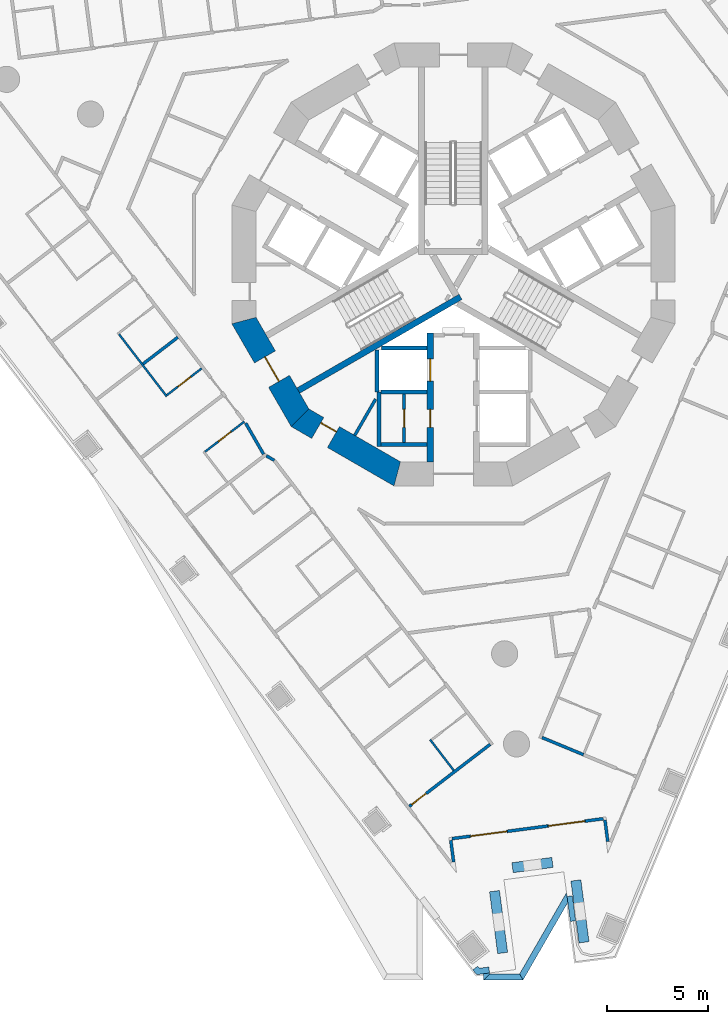
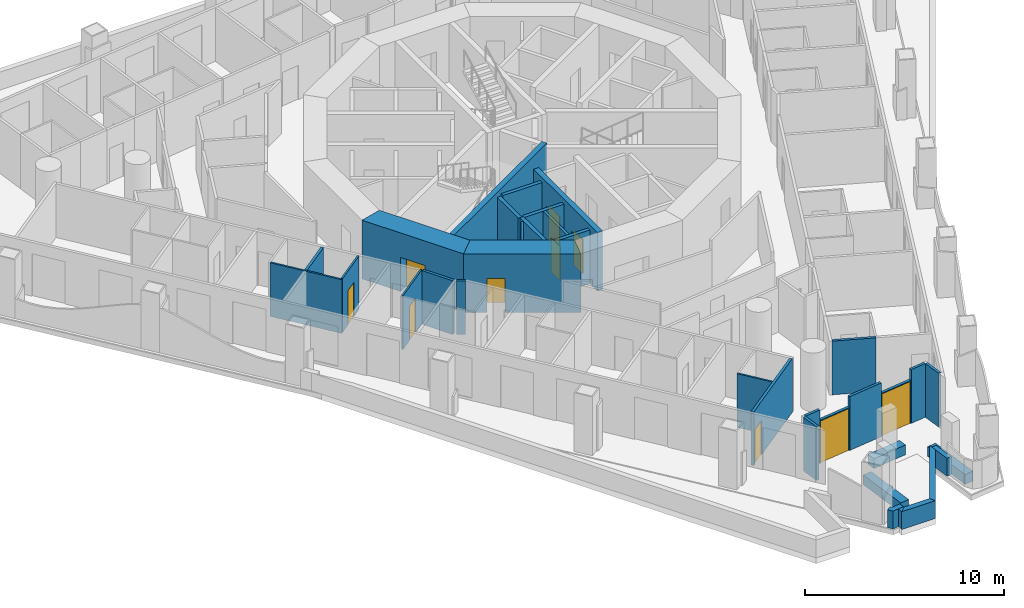
# One storey, part 3 of 20: 35 walls, 10 doors, 10 openings.
"""IFC4 building model written with IfcOpenShell, lengths in metres."""

from ifc_helpers import new_model, si_unit, direction, frame, frame_2d, origin, place, context, subcontext, project, spatial, polyline, rectangle, outline, extrude, material, layer, layer_set, type_object, element, fill, save


model = new_model("IFC4")

# Units and contexts
model_context = context("Model", 3, precision=1e-05, world=origin(), true_north=direction((0.0, 1.0)))
body_context = subcontext(model_context, "Body", "Model", "MODEL_VIEW")
ifc_project = project(units=[si_unit("LENGTHUNIT", "METRE"), si_unit("AREAUNIT", "SQUARE_METRE"), si_unit("VOLUMEUNIT", "CUBIC_METRE"), si_unit("PLANEANGLEUNIT", "RADIAN"), si_unit("MASSUNIT", "GRAM", prefix="KILO")], contexts=[model_context])

# Site, building, storey
site_placement = place(None, origin())
site = spatial("IfcSite", under=ifc_project, at=site_placement, CompositionType="ELEMENT")
building_placement = place(site_placement, origin())
building = spatial("IfcBuilding", under=site, at=building_placement, Name="Trine Commons Tower", CompositionType="ELEMENT")
storey_placement = place(building_placement, frame((0.0, 0.0, 50.39990234375)))
storey = spatial("IfcBuildingStorey", under=building, at=storey_placement, Name="L11", CompositionType="ELEMENT", Elevation=50.39990234375)

# Wall
ifc_material_1 = material(Name="Plasterboard partition on steel studs", Category="steel")
ifc_layer_1 = layer(ifc_material_1, 0.14990234375)
ifc_layer_set_1 = layer_set([ifc_layer_1], Name="Plasterboard partition on steel studs")
wall_type_1 = type_object("IfcWallType", Name="Core room partition 150 mm, EI 60", PredefinedType="PARTITIONING", material=ifc_layer_set_1)
wall_1_placement = place(storey_placement, frame((75.094970703125, 54.0029296875, 0.0), z_axis=(0.0, 0.0, 1.0), x_axis=(0.5000780968, 0.865980309881, 0.0)))
element("IfcWall", 1, at=wall_1_placement, inside=storey, type_object=wall_type_1, Name="Core room partition L11", PredefinedType="PARTITIONING", context=body_context, shape_type="SweptSolid", body=[
    extrude(rectangle(XDim=2.079833984375, YDim=0.14990234375, at=frame_2d((1.0400390625, 0.0))), origin(), (0.0, 0.0, 1.0), 3.300048828125),
])

# Wall, opening, door
wall_2_placement = place(storey_placement, frame((77.550048828125, 56.050048828125, 0.0), z_axis=(0.0, 0.0, 1.0), x_axis=(0.0, -1.0, 0.0)))
wall_2 = element("IfcWall", 2, at=wall_2_placement, inside=storey, type_object=wall_type_1, Name="Core room partition L11", PredefinedType="PARTITIONING", context=body_context, shape_type="SweptSolid", body=[
    extrude(rectangle(XDim=2.400146484375, YDim=0.14990234375, at=frame_2d((1.2001953125, 0.0))), origin(), (0.0, 0.0, 1.0), 3.300048828125),
])
opening_1_placement = place(wall_2_placement, frame((0.75, 0.0, 0.0)))
opening_1 = element("IfcOpeningElement", 3, at=opening_1_placement, cuts=wall_2, Name="Opening K06.11", PredefinedType="OPENING", context=body_context, shape_type="SweptSolid", body=[
    extrude(rectangle(XDim=0.89990234375, YDim=2.10009765625, at=frame_2d((0.449951171875, 1.050048828125))), frame((0.0, 0.0849609375, 0.0), z_axis=(0.0, -1.0, 0.0), x_axis=(1.0, 0.0, 0.0)), (0.0, 0.0, 1.0), 0.169921875),
])
ifc_material_2 = material(Name="Steel door leaf, fire-rated", Category="steel")
door_type_1 = type_object("IfcDoorType", Name="Core room door, single leaf 900 x 2100, FD30S", OperationType="SINGLE_SWING_LEFT", PredefinedType="DOOR", material=ifc_material_2)
door_1_placement = place(opening_1_placement, frame((0.89990234375, 0.0, 0.0), z_axis=(0.0, 0.0, 1.0), x_axis=(-1.0, 0.0, 0.0)))
door_1 = element("IfcDoor", 4, at=door_1_placement, inside=storey, type_object=door_type_1, Name="Door to Parcel store L11", OperationType="SINGLE_SWING_LEFT", OverallHeight=2.10009765625, OverallWidth=0.89990234375, PredefinedType="DOOR", context=body_context, shape_type="SweptSolid", body=[
    extrude(rectangle(XDim=0.89990234375, YDim=2.10009765625, at=frame_2d((0.449951171875, 1.050048828125))), frame((0.0, 0.02490234375, 0.0), z_axis=(0.0, -1.0, 0.0), x_axis=(1.0, 0.0, 0.0)), (0.0, 0.0, 1.0), 0.050048828125),
])
fill(opening_1, door_1)

# Walls
ifc_material_3 = material(Name="Aluminium-framed insulated wall panel", Category="aluminium")
ifc_layer_2 = layer(ifc_material_3, 0.14990234375)
ifc_layer_set_2 = layer_set([ifc_layer_2], Name="Aluminium-framed insulated wall panel")
wall_type_2 = type_object("IfcWallType", Name="Glazed frame wall 150, EI 60", PredefinedType="SOLIDWALL", material=ifc_layer_set_2)
wall_3_placement = place(storey_placement, frame((87.6953125, 33.6591796875, 0.0), z_axis=(0.0, 0.0, 1.0), x_axis=(-0.130510858064, 0.991446880033, 0.0)))
element("IfcWall", 5, at=wall_3_placement, inside=storey, type_object=wall_type_2, Name="Glazed frame wall R9", PredefinedType="SOLIDWALL", context=body_context, shape_type="SweptSolid", body=[
    extrude(outline(polyline([(0.1494140625, 0.074951171875), (0.1494140625, -0.074951171875), (1.235107421875, -0.074951171875), (1.235107421875, 0.074951171875), (0.1494140625, 0.074951171875)])), origin(), (0.0, 0.0, 1.0), 3.300048828125),
])
wall_4_placement = place(storey_placement, frame((87.55908203125, 34.96240234375, 0.0), z_axis=(0.0, 0.0, 1.0), x_axis=(-0.991465094935, -0.130372410907, 0.0)))
element("IfcWall", 6, at=wall_4_placement, inside=storey, type_object=wall_type_2, Name="Glazed frame wall P3.1", PredefinedType="SOLIDWALL", context=body_context, shape_type="SweptSolid", body=[
    extrude(outline(polyline([(0.110107421875, -0.074951171875), (1.0, -0.074951171875), (1.0, 0.074951171875), (0.110107421875, 0.074951171875), (0.110107421875, -0.074951171875)])), origin(), (0.0, 0.0, 1.0), 3.300048828125),
])

# Wall, opening, door
wall_5_placement = place(storey_placement, frame((86.567626953125, 34.83203125, 0.0), z_axis=(0.0, 0.0, 1.0), x_axis=(-0.991442045538, -0.130547578832, 0.0)))
wall_5 = element("IfcWall", 7, at=wall_5_placement, inside=storey, type_object=wall_type_2, Name="Glazed frame wall P3.2", PredefinedType="SOLIDWALL", context=body_context, shape_type="SweptSolid", body=[
    extrude(outline(polyline([(0.0, -0.074951171875), (1.89990234375, -0.074951171875), (1.89990234375, 0.074951171875), (0.0, 0.074951171875), (0.0, -0.074951171875)])), origin(), (0.0, 0.0, 1.0), 2.650146484375),
])
opening_2_placement = place(wall_5_placement, frame((0.050048828125, 0.0, 0.0)))
opening_2 = element("IfcOpeningElement", 8, at=opening_2_placement, cuts=wall_5, Name="Opening BD-2P3-01", PredefinedType="OPENING", context=body_context, shape_type="SweptSolid", body=[
    extrude(rectangle(XDim=1.800048828125, YDim=2.60009765625, at=frame_2d((0.89990234375, 1.300048828125))), frame((0.0, 0.0849609375, 0.0), z_axis=(0.0, -1.0, 0.0), x_axis=(1.0, 0.0, 0.0)), (0.0, 0.0, 1.0), 0.169921875),
])
ifc_material_4 = material(Name="Anodised aluminium frame with double glazing", Category="aluminium")
door_type_2 = type_object("IfcDoorType", Name="Sliding loggia door 1800x2600", OperationType="SLIDING_TO_LEFT", PredefinedType="DOOR", material=ifc_material_4)
door_2_placement = place(opening_2_placement, origin())
door_2 = element("IfcDoor", 9, at=door_2_placement, inside=storey, type_object=door_type_2, Name="Loggia door P3 1", OperationType="SLIDING_TO_LEFT", OverallHeight=2.60009765625, OverallWidth=1.800048828125, PredefinedType="DOOR", context=body_context, shape_type="SweptSolid", body=[
    extrude(rectangle(XDim=1.800048828125, YDim=2.60009765625, at=frame_2d((0.89990234375, 1.300048828125))), frame((0.0, 0.02490234375, 0.0), z_axis=(0.0, -1.0, 0.0), x_axis=(1.0, 0.0, 0.0)), (0.0, 0.0, 1.0), 0.050048828125),
])
fill(opening_2, door_2)

# Wall
wall_6_placement = place(storey_placement, frame((84.683837890625, 34.583984375, 0.0), z_axis=(0.0, 0.0, 1.0), x_axis=(-0.991449308994, -0.130492404742, 0.0)))
element("IfcWall", 10, at=wall_6_placement, inside=storey, type_object=wall_type_2, Name="Glazed frame wall P3.3", PredefinedType="SOLIDWALL", context=body_context, shape_type="SweptSolid", body=[
    extrude(outline(polyline([(0.0, -0.074951171875), (2.0, -0.074951171875), (2.0, 0.074951171875), (0.0, 0.074951171875), (0.0, -0.074951171875)])), origin(), (0.0, 0.0, 1.0), 3.300048828125),
])

# Wall, opening, door
wall_7_placement = place(storey_placement, frame((82.700927734375, 34.322998046875, 0.0), z_axis=(0.0, 0.0, 1.0), x_axis=(-0.991442045538, -0.130547578832, 0.0)))
wall_7 = element("IfcWall", 11, at=wall_7_placement, inside=storey, type_object=wall_type_2, Name="Glazed frame wall P3.4", PredefinedType="SOLIDWALL", context=body_context, shape_type="SweptSolid", body=[
    extrude(outline(polyline([(0.0, -0.074951171875), (1.89990234375, -0.074951171875), (1.89990234375, 0.074951171875), (0.0, 0.074951171875), (0.0, -0.074951171875)])), origin(), (0.0, 0.0, 1.0), 2.650146484375),
])
opening_3_placement = place(wall_7_placement, frame((0.050048828125, 0.0, 0.0)))
opening_3 = element("IfcOpeningElement", 12, at=opening_3_placement, cuts=wall_7, Name="Opening BD-2P3-02", PredefinedType="OPENING", context=body_context, shape_type="SweptSolid", body=[
    extrude(rectangle(XDim=1.800048828125, YDim=2.60009765625, at=frame_2d((0.89990234375, 1.300048828125))), frame((0.0, 0.0849609375, 0.0), z_axis=(0.0, -1.0, 0.0), x_axis=(1.0, 0.0, 0.0)), (0.0, 0.0, 1.0), 0.169921875),
])
door_3_placement = place(opening_3_placement, origin())
door_3 = element("IfcDoor", 13, at=door_3_placement, inside=storey, type_object=door_type_2, Name="Loggia door P3 2", OperationType="SLIDING_TO_LEFT", OverallHeight=2.60009765625, OverallWidth=1.800048828125, PredefinedType="DOOR", context=body_context, shape_type="SweptSolid", body=[
    extrude(rectangle(XDim=1.800048828125, YDim=2.60009765625, at=frame_2d((0.89990234375, 1.300048828125))), frame((0.0, 0.02490234375, 0.0), z_axis=(0.0, -1.0, 0.0), x_axis=(1.0, 0.0, 0.0)), (0.0, 0.0, 1.0), 0.050048828125),
])
fill(opening_3, door_3)

# Walls
wall_8_placement = place(storey_placement, frame((80.817138671875, 34.074951171875, 0.0), z_axis=(0.0, 0.0, 1.0), x_axis=(-0.991433509034, -0.130612392842, 0.0)))
element("IfcWall", 14, at=wall_8_placement, inside=storey, type_object=wall_type_2, Name="Glazed frame wall P3.5", PredefinedType="SOLIDWALL", context=body_context, shape_type="SweptSolid", body=[
    extrude(outline(polyline([(0.889892578125, 0.074951171875), (0.0, 0.074951171875), (0.0, -0.074951171875), (0.889892578125, -0.074951171875), (0.889892578125, 0.074951171875)])), origin(), (0.0, 0.0, 1.0), 3.300048828125),
])
wall_9_placement = place(storey_placement, frame((79.85595703125, 33.983642578125, 0.0), z_axis=(0.0, 0.0, 1.0), x_axis=(0.130510858064, -0.991446880033, 0.0)))
element("IfcWall", 15, at=wall_9_placement, inside=storey, type_object=wall_type_2, Name="Glazed frame wall R11", PredefinedType="SOLIDWALL", context=body_context, shape_type="SweptSolid", body=[
    extrude(outline(polyline([(0.110107421875, 0.074951171875), (0.110107421875, -0.074951171875), (1.19580078125, -0.074951171875), (1.19580078125, 0.074951171875), (0.110107421875, 0.074951171875)])), origin(), (0.0, 0.0, 1.0), 3.300048828125),
])
ifc_material_5 = material(Name="Planter trough, precast concrete C40/50", Category="concrete")
ifc_layer_3 = layer(ifc_material_5, 0.5)
ifc_layer_set_3 = layer_set([ifc_layer_3], Name="Planter trough, precast concrete C40/50")
wall_type_3 = type_object("IfcWallType", Name="Planter trough 500x600", PredefinedType="PARAPET", material=ifc_layer_set_3)
wall_10_placement = place(storey_placement, frame((86.493408203125, 28.805908203125, 0.0), z_axis=(0.0, 0.0, 1.0), x_axis=(-0.130507484591, 0.9914473241, 0.0)))
element("IfcWall", 16, at=wall_10_placement, inside=storey, type_object=wall_type_3, Name="Planter 7", PredefinedType="PARAPET", context=body_context, shape_type="SweptSolid", body=[
    extrude(rectangle(XDim=3.099853515625, YDim=0.5, at=frame_2d((1.5498046875, 0.0))), origin(), (0.0, 0.0, 1.0), 0.60009765625),
])
wall_11_placement = place(storey_placement, frame((84.922119140625, 32.774658203125, 0.0), z_axis=(0.0, 0.0, 1.0), x_axis=(-0.991433509034, -0.130612392842, 0.0)))
element("IfcWall", 17, at=wall_11_placement, inside=storey, type_object=wall_type_3, Name="Planter 8", PredefinedType="PARAPET", context=body_context, shape_type="SweptSolid", body=[
    extrude(rectangle(XDim=2.0, YDim=0.5, at=frame_2d((1.0, 0.0))), origin(), (0.0, 0.0, 1.0), 0.60009765625),
])
wall_12_placement = place(storey_placement, frame((82.043701171875, 31.3466796875, 0.0), z_axis=(0.0, 0.0, 1.0), x_axis=(0.130574707151, -0.991438473054, 0.0)))
element("IfcWall", 18, at=wall_12_placement, inside=storey, type_object=wall_type_3, Name="Planter 9", PredefinedType="PARAPET", context=body_context, shape_type="SweptSolid", body=[
    extrude(rectangle(XDim=3.10009765625, YDim=0.5, at=frame_2d((1.550048828125, 0.0))), origin(), (0.0, 0.0, 1.0), 0.60009765625),
])

# Wall, opening, door
ifc_material_6 = material(Name="Concrete C80/95", Category="concrete")
ifc_layer_4 = layer(ifc_material_6, 1.199951171875)
ifc_layer_set_4 = layer_set([ifc_layer_4], Name="Concrete C80/95")
wall_type_4 = type_object("IfcWallType", Name="RC shear wall 1200 mm, C80/95", PredefinedType="SHEAR", material=ifc_layer_set_4)
wall_13_placement = place(storey_placement, frame((69.508056640625, 59.849609375, 0.0), z_axis=(0.0, 0.0, 1.0), x_axis=(0.499979111662, -0.866037463336, 0.0)))
wall_13 = element("IfcWall", 19, at=wall_13_placement, inside=storey, type_object=wall_type_4, Name="Core wall CWB-08 L11", PredefinedType="SHEAR", context=body_context, shape_type="SweptSolid", body=[
    extrude(outline(polyline([(0.0, -0.60009765625), (5.901123046875, -0.60009765625), (5.57958984375, 0.60009765625), (0.321533203125, 0.60009765625), (0.0, -0.60009765625)])), origin(), (0.0, 0.0, 1.0), 3.60009765625),
])
opening_4_placement = place(wall_13_placement, frame((2.25048828125, 0.0, 0.0)))
opening_4 = element("IfcOpeningElement", 20, at=opening_4_placement, cuts=wall_13, Name="Opening K06.02", PredefinedType="OPENING", context=body_context, shape_type="SweptSolid", body=[
    extrude(rectangle(XDim=1.39990234375, YDim=2.10009765625, at=frame_2d((0.699951171875, 1.050048828125))), frame((0.0, 0.60986328125, 0.0), z_axis=(0.0, -1.0, 0.0), x_axis=(1.0, 0.0, 0.0)), (0.0, 0.0, 1.0), 1.219970703125),
])
ifc_material_7 = material(Name="Steel door leaves, fire-rated", Category="steel")
door_type_3 = type_object("IfcDoorType", Name="Stair door, double leaf 1400 x 2100, FD90", OperationType="DOUBLE_DOOR_SINGLE_SWING", PredefinedType="DOOR", material=ifc_material_7)
door_4_placement = place(opening_4_placement, origin())
door_4 = element("IfcDoor", 21, at=door_4_placement, inside=storey, type_object=door_type_3, Name="Stair door to Exit stair ST2A L11", OperationType="DOUBLE_DOOR_SINGLE_SWING", OverallHeight=2.10009765625, OverallWidth=1.39990234375, PredefinedType="DOOR", context=body_context, shape_type="SweptSolid", body=[
    extrude(rectangle(XDim=1.39990234375, YDim=2.10009765625, at=frame_2d((0.699951171875, 1.050048828125))), frame((0.0, 0.02490234375, 0.0), z_axis=(0.0, -1.0, 0.0), x_axis=(1.0, 0.0, 0.0)), (0.0, 0.0, 1.0), 0.050048828125),
])
fill(opening_4, door_4)

wall_14_placement = place(storey_placement, frame((72.239013671875, 54.95849609375, 0.0), z_axis=(0.0, 0.0, 1.0), x_axis=(0.866037463336, -0.499979111662, 0.0)))
wall_14 = element("IfcWall", 22, at=wall_14_placement, inside=storey, type_object=wall_type_4, Name="Core wall CWB-09 L11", PredefinedType="SHEAR", context=body_context, shape_type="SweptSolid", body=[
    extrude(outline(polyline([(0.0, -0.60009765625), (5.901123046875, -0.60009765625), (5.57958984375, 0.60009765625), (0.321533203125, 0.60009765625), (0.0, -0.60009765625)])), origin(), (0.0, 0.0, 1.0), 3.60009765625),
])
opening_5_placement = place(wall_14_placement, frame((1.176513671875, 0.0, 0.0)))
opening_5 = element("IfcOpeningElement", 23, at=opening_5_placement, cuts=wall_14, Name="Opening K06.15", PredefinedType="OPENING", context=body_context, shape_type="SweptSolid", body=[
    extrude(rectangle(XDim=0.89990234375, YDim=2.10009765625, at=frame_2d((0.449951171875, 1.050048828125))), frame((0.0, 0.60986328125, 0.0), z_axis=(0.0, -1.0, 0.0), x_axis=(1.0, 0.0, 0.0)), (0.0, 0.0, 1.0), 1.219970703125),
])
door_5_placement = place(opening_5_placement, origin())
door_5 = element("IfcDoor", 24, at=door_5_placement, inside=storey, type_object=door_type_1, Name="Door to Print room L11", OperationType="SINGLE_SWING_LEFT", OverallHeight=2.10009765625, OverallWidth=0.89990234375, PredefinedType="DOOR", context=body_context, shape_type="SweptSolid", body=[
    extrude(rectangle(XDim=0.89990234375, YDim=2.10009765625, at=frame_2d((0.449951171875, 1.050048828125))), frame((0.0, 0.3251953125, 0.0), z_axis=(0.0, -1.0, 0.0), x_axis=(1.0, 0.0, 0.0)), (0.0, 0.0, 1.0), 0.050048828125),
])
fill(opening_5, door_5)

# Wall, openings, doors
ifc_layer_5 = layer(ifc_material_6, 0.300048828125)
ifc_layer_set_5 = layer_set([ifc_layer_5], Name="Concrete C80/95")
wall_type_5 = type_object("IfcWallType", Name="RC shear wall 300 mm, C80/95", PredefinedType="SHEAR", material=ifc_layer_set_5)
wall_15_placement = place(storey_placement, frame((78.85009765625, 59.10009765625, 0.0), z_axis=(0.0, 0.0, 1.0), x_axis=(0.0, -1.0, 0.0)))
wall_15 = element("IfcWall", 25, at=wall_15_placement, inside=storey, type_object=wall_type_5, Name="Core cross wall SWA-03 L11", PredefinedType="SHEAR", context=body_context, shape_type="SweptSolid", body=[
    extrude(rectangle(XDim=6.412109375, YDim=0.300048828125, at=frame_2d((3.2060546875, 0.0))), origin(), (0.0, 0.0, 1.0), 3.60009765625),
])
opening_6_placement = place(wall_15_placement, frame((3.800048828125, 0.0, 0.0)))
opening_6 = element("IfcOpeningElement", 26, at=opening_6_placement, cuts=wall_15, Name="Opening K06.10", PredefinedType="OPENING", context=body_context, shape_type="SweptSolid", body=[
    extrude(rectangle(XDim=0.89990234375, YDim=2.10009765625, at=frame_2d((0.449951171875, 1.050048828125))), frame((0.0, 0.159912109375, 0.0), z_axis=(0.0, -1.0, 0.0), x_axis=(1.0, 0.0, 0.0)), (0.0, 0.0, 1.0), 0.320068359375),
])
opening_7_placement = place(wall_15_placement, frame((1.300048828125, 0.0, 0.0)))
opening_7 = element("IfcOpeningElement", 27, at=opening_7_placement, cuts=wall_15, Name="Opening LD10", PredefinedType="OPENING", context=body_context, shape_type="SweptSolid", body=[
    extrude(rectangle(XDim=1.10009765625, YDim=2.10009765625, at=frame_2d((0.550048828125, 1.050048828125))), frame((0.0, 0.159912109375, 0.0), z_axis=(0.0, -1.0, 0.0), x_axis=(1.0, 0.0, 0.0)), (0.0, 0.0, 1.0), 0.320068359375),
])
door_6_placement = place(opening_6_placement, frame((0.89990234375, 0.0, 0.0), z_axis=(0.0, 0.0, 1.0), x_axis=(-1.0, 0.0, 0.0)))
door_6 = element("IfcDoor", 28, at=door_6_placement, inside=storey, type_object=door_type_1, Name="Door to Comms room L11", OperationType="SINGLE_SWING_RIGHT", OverallHeight=2.10009765625, OverallWidth=0.89990234375, PredefinedType="DOOR", context=body_context, shape_type="SweptSolid", body=[
    extrude(rectangle(XDim=0.89990234375, YDim=2.10009765625, at=frame_2d((0.449951171875, 1.050048828125))), frame((0.0, 0.02490234375, 0.0), z_axis=(0.0, -1.0, 0.0), x_axis=(1.0, 0.0, 0.0)), (0.0, 0.0, 1.0), 0.050048828125),
])
fill(opening_6, door_6)
ifc_material_8 = material(Name="Stainless steel sliding door leaves", Category="steel")
door_type_4 = type_object("IfcDoorType", Name="Lift landing door, centre-opening sliding 1100 x 2100, FD90", OperationType="DOUBLE_DOOR_SLIDING", PredefinedType="DOOR", material=ifc_material_8)
door_7_placement = place(opening_7_placement, origin())
door_7 = element("IfcDoor", 29, at=door_7_placement, inside=storey, type_object=door_type_4, Name="Lift landing door FF2 L11", OperationType="DOUBLE_DOOR_SLIDING", OverallHeight=2.10009765625, OverallWidth=1.10009765625, PredefinedType="DOOR", context=body_context, shape_type="SweptSolid", body=[
    extrude(rectangle(XDim=1.10009765625, YDim=2.10009765625, at=frame_2d((0.550048828125, 1.050048828125))), frame((0.0, 0.02490234375, 0.0), z_axis=(0.0, -1.0, 0.0), x_axis=(1.0, 0.0, 0.0)), (0.0, 0.0, 1.0), 0.050048828125),
])
fill(opening_7, door_7)

# Walls
wall_16_placement = place(storey_placement, frame((80.35400390625, 60.885986328125, 0.0), z_axis=(0.0, 0.0, 1.0), x_axis=(-0.865986456211, -0.50006745311, 0.0)))
element("IfcWall", 30, at=wall_16_placement, inside=storey, type_object=wall_type_5, Name="Core cross wall SWA-14 L11", PredefinedType="SHEAR", context=body_context, shape_type="SweptSolid", body=[
    extrude(rectangle(XDim=9.310791015625, YDim=0.300048828125, at=frame_2d((4.6552734375, 0.0))), origin(), (0.0, 0.0, 1.0), 3.60009765625),
])
ifc_material_9 = material(Name="Fire-rated gypsum shaft wall system")
ifc_layer_6 = layer(ifc_material_9, 0.199951171875)
ifc_layer_set_6 = layer_set([ifc_layer_6], Name="Fire-rated gypsum shaft wall system")
wall_type_6 = type_object("IfcWallType", Name="Shaft wall 200 mm, EI 120", PredefinedType="PARTITIONING", material=ifc_layer_set_6)
wall_17_placement = place(storey_placement, frame((76.199951171875, 58.256103515625, 0.0), z_axis=(0.0, 0.0, 1.0), x_axis=(0.0, -1.0, 0.0)))
element("IfcWall", 31, at=wall_17_placement, inside=storey, type_object=wall_type_6, Name="Shaft wall L11", PredefinedType="PARTITIONING", context=body_context, shape_type="SweptSolid", body=[
    extrude(rectangle(XDim=2.106201171875, YDim=0.199951171875, at=frame_2d((1.05322265625, 0.0))), origin(), (0.0, 0.0, 1.0), 3.300048828125),
])
wall_18_placement = place(storey_placement, frame((76.300048828125, 56.14990234375, 0.0), z_axis=(0.0, 0.0, 1.0), x_axis=(0.0, -1.0, 0.0)))
element("IfcWall", 32, at=wall_18_placement, inside=storey, type_object=wall_type_6, Name="Shaft wall L11", PredefinedType="PARTITIONING", context=body_context, shape_type="SweptSolid", body=[
    extrude(rectangle(XDim=2.699951171875, YDim=0.199951171875, at=frame_2d((1.35009765625, 0.0))), origin(), (0.0, 0.0, 1.0), 3.300048828125),
])
for number, where, z_axis, x_axis, name in (
    (33, (78.699951171875, 53.550048828125, 0.0), (0.0, 0.0, 1.0), (-1.0, 0.0, 0.0), "Shaft wall L11"),
    (34, (78.699951171875, 56.14990234375, 0.0), (0.0, 0.0, 1.0), (-1.0, 0.0, 0.0), "Shaft wall L11"),
):
    element("IfcWall", number, at=place(storey_placement, frame(where, z_axis=z_axis, x_axis=x_axis)), inside=storey, type_object=wall_type_6, Name=name, PredefinedType="PARTITIONING", context=body_context, shape_type="SweptSolid", body=[
        extrude(rectangle(XDim=2.300048828125, YDim=0.199951171875, at=frame_2d((1.14990234375, 0.0))), origin(), (0.0, 0.0, 1.0), 3.300048828125),
    ])
wall_19_placement = place(storey_placement, frame((78.699951171875, 58.35009765625, 0.0), z_axis=(0.0, 0.0, 1.0), x_axis=(-1.0, 0.0, 0.0)))
element("IfcWall", 35, at=wall_19_placement, inside=storey, type_object=wall_type_6, Name="Shaft wall L11", PredefinedType="PARTITIONING", context=body_context, shape_type="SweptSolid", body=[
    extrude(rectangle(XDim=2.264892578125, YDim=0.199951171875, at=frame_2d((1.13232421875, 0.0))), origin(), (0.0, 0.0, 1.0), 3.300048828125),
])
ifc_material_10 = material(Name="Limestone, honed", Category="masonry")
ifc_layer_7 = layer(ifc_material_10, 0.300048828125)
ifc_layer_set_7 = layer_set([ifc_layer_7], Name="Limestone, honed")
wall_type_7 = type_object("IfcWallType", Name="Stone parapet 300", PredefinedType="PARAPET", material=ifc_layer_set_7)
wall_20_placement = place(storey_placement, origin())
element("IfcWall", 36, at=wall_20_placement, inside=storey, type_object=wall_type_7, Name="Sliver roof parapet L10 4.1", PredefinedType="PARAPET", context=body_context, shape_type="SweptSolid", body=[
    extrude(outline(polyline([(83.464111328125, 26.930908203125), (85.6884765625, 30.783447265625), (85.624267578125, 31.272216796875), (83.291015625, 27.230712890625), (83.464111328125, 26.930908203125)])), origin(), (0.0, 0.0, 1.0), 1.10009765625),
])
wall_21_placement = place(storey_placement, origin())
element("IfcWall", 37, at=wall_21_placement, inside=storey, type_object=wall_type_7, Name="Sliver roof parapet L10 4.2", PredefinedType="PARAPET", context=body_context, shape_type="SweptSolid", body=[
    extrude(outline(polyline([(81.5, 27.240478515625), (81.5, 26.930908203125), (81.800048828125, 27.230712890625), (81.800048828125, 27.280029296875), (81.5, 27.240478515625)])), origin(), (0.0, 0.0, 1.0), 1.10009765625),
])
wall_22_placement = place(storey_placement, origin())
element("IfcWall", 38, at=wall_22_placement, inside=storey, type_object=wall_type_7, Name="Sliver roof parapet L10 4.3", PredefinedType="PARAPET", context=body_context, shape_type="SweptSolid", body=[
    extrude(outline(polyline([(81.5, 26.930908203125), (83.464111328125, 26.930908203125), (83.291015625, 27.230712890625), (81.800048828125, 27.230712890625), (81.5, 26.930908203125)])), origin(), (0.0, 0.0, 1.0), 1.10009765625),
])
wall_23_placement = place(storey_placement, origin())
element("IfcWall", 39, at=wall_23_placement, inside=storey, type_object=wall_type_7, Name="Sliver roof parapet extension L10 4.X1", PredefinedType="PARAPET", context=body_context, shape_type="SweptSolid", body=[
    extrude(outline(polyline([(85.8125, 29.841552734375), (86.080078125, 29.876953125), (85.9169921875, 31.1162109375), (85.6494140625, 31.080810546875), (85.75537109375, 30.275146484375), (85.8125, 29.841552734375)])), origin(), (0.0, 0.0, 1.0), 1.10009765625),
])
wall_24_placement = place(storey_placement, origin())
element("IfcWall", 40, at=wall_24_placement, inside=storey, type_object=wall_type_7, Name="Sliver roof parapet extension L10 4.X2", PredefinedType="PARAPET", context=body_context, shape_type="SweptSolid", body=[
    extrude(outline(polyline([(81.79736328125, 27.27978515625), (81.75830078125, 27.5771484375), (81.28662109375, 27.51513671875), (81.208740234375, 27.616455078125), (80.970703125, 27.433837890625), (81.144287109375, 27.207763671875), (81.185302734375, 27.19921875), (81.76953125, 27.276123046875), (81.79736328125, 27.27978515625)])), origin(), (0.0, 0.0, 1.0), 1.10009765625),
])
ifc_material_11 = material(Name="Gypsum plasterboard on steel stud", Category="steel")
ifc_layer_8 = layer(ifc_material_11, 0.14990234375)
ifc_layer_set_8 = layer_set([ifc_layer_8], Name="Gypsum plasterboard on steel stud")
wall_type_8 = type_object("IfcWallType", Name="Unit and corridor wall 150 mm, EI 60", PredefinedType="PARTITIONING", material=ifc_layer_set_8)
wall_25_placement = place(storey_placement, frame((64.57568359375, 57.554443359375, 0.0), z_axis=(0.0, 0.0, 1.0), x_axis=(0.79342025342, 0.608674216197, 0.0)))
element("IfcWall", 41, at=wall_25_placement, inside=storey, type_object=wall_type_8, Name="Partition 032", PredefinedType="PARTITIONING", context=body_context, shape_type="SweptSolid", body=[
    extrude(rectangle(XDim=2.17529296875, YDim=0.14990234375, at=frame_2d((1.087646484375, 0.0))), origin(), (0.0, 0.0, 1.0), 3.300048828125),
])
wall_26_placement = place(storey_placement, frame((69.674072265625, 54.612060546875, 0.0), z_axis=(0.0, 0.0, 1.0), x_axis=(0.499655352634, -0.866224294616, 0.0)))
element("IfcWall", 42, at=wall_26_placement, inside=storey, type_object=wall_type_8, Name="Partition 054", PredefinedType="PARTITIONING", context=body_context, shape_type="SweptSolid", body=[
    extrude(rectangle(XDim=1.784912109375, YDim=0.14990234375, at=frame_2d((0.892578125, 0.0))), origin(), (0.0, 0.0, 1.0), 3.300048828125),
])
wall_27_placement = place(storey_placement, frame((70.701904296875, 52.987548828125, 0.0), z_axis=(0.0, 0.0, 1.0), x_axis=(0.866382612495, -0.499380785339, 0.0)))
element("IfcWall", 43, at=wall_27_placement, inside=storey, type_object=wall_type_8, Name="Partition 057", PredefinedType="PARTITIONING", context=body_context, shape_type="SweptSolid", body=[
    extrude(rectangle(XDim=0.45361328125, YDim=0.14990234375, at=frame_2d((0.226806640625, 0.0))), origin(), (0.0, 0.0, 1.0), 3.300048828125),
])

# Wall, opening, door
wall_28_placement = place(storey_placement, frame((77.810791015625, 35.560302734375, 0.0), z_axis=(0.0, 0.0, 1.0), x_axis=(0.793261664916, 0.60888088406, 0.0)))
wall_28 = element("IfcWall", 44, at=wall_28_placement, inside=storey, type_object=wall_type_8, Name="Partition 079", PredefinedType="PARTITIONING", context=body_context, shape_type="SweptSolid", body=[
    extrude(rectangle(XDim=5.0634765625, YDim=0.14990234375, at=frame_2d((2.53173828125, 0.0))), origin(), (0.0, 0.0, 1.0), 3.300048828125),
])
opening_8_placement = place(wall_28_placement, frame((0.14990234375, 0.0, 0.0)))
opening_8 = element("IfcOpeningElement", 45, at=opening_8_placement, cuts=wall_28, Name="Opening D-2A26", PredefinedType="OPENING", context=body_context, shape_type="SweptSolid", body=[
    extrude(rectangle(XDim=0.89990234375, YDim=2.10009765625, at=frame_2d((0.449951171875, 1.050048828125))), frame((0.0, 0.0849609375, 0.0), z_axis=(0.0, -1.0, 0.0), x_axis=(1.0, 0.0, 0.0)), (0.0, 0.0, 1.0), 0.169921875),
])
ifc_material_12 = material(Name="Timber fire door set", Category="wood")
door_type_5 = type_object("IfcDoorType", Name="Bedroom door 900 x 2100, FD30S", OperationType="NOTDEFINED", PredefinedType="DOOR", material=ifc_material_12)
door_8_placement = place(opening_8_placement, origin())
door_8 = element("IfcDoor", 46, at=door_8_placement, inside=storey, type_object=door_type_5, Name="Door D-2A26", OperationType="SINGLE_SWING_LEFT", OverallHeight=2.10009765625, OverallWidth=0.89990234375, PredefinedType="DOOR", context=body_context, shape_type="SweptSolid", body=[
    extrude(rectangle(XDim=0.89990234375, YDim=2.10009765625, at=frame_2d((0.449951171875, 1.050048828125))), frame((0.0, 0.02490234375, 0.0), z_axis=(0.0, -1.0, 0.0), x_axis=(1.0, 0.0, 0.0)), (0.0, 0.0, 1.0), 0.050048828125),
])
fill(opening_8, door_8)

# Walls
wall_29_placement = place(storey_placement, frame((84.408203125, 38.982421875, 0.0), z_axis=(0.0, 0.0, 1.0), x_axis=(0.923765743921, -0.382958026888, 0.0)))
element("IfcWall", 47, at=wall_29_placement, inside=storey, type_object=wall_type_8, Name="Partition 095", PredefinedType="PARTITIONING", context=body_context, shape_type="SweptSolid", body=[
    extrude(rectangle(XDim=2.228759765625, YDim=0.14990234375, at=frame_2d((1.1142578125, 0.0))), origin(), (0.0, 0.0, 1.0), 3.300048828125),
])
ifc_layer_9 = layer(ifc_material_11, 0.10009765625)
ifc_layer_set_9 = layer_set([ifc_layer_9], Name="Gypsum plasterboard on steel stud")
wall_type_9 = type_object("IfcWallType", Name="Unit partition 100 mm, no rating", PredefinedType="PARTITIONING", material=ifc_layer_set_9)
wall_30_placement = place(storey_placement, frame((63.37939453125, 59.03125, 0.0), z_axis=(0.0, 0.0, 1.0), x_axis=(0.608627311208, -0.79345623449, 0.0)))
element("IfcWall", 48, at=wall_30_placement, inside=storey, type_object=wall_type_9, Name="Partition 024", PredefinedType="PARTITIONING", context=body_context, shape_type="SweptSolid", body=[
    extrude(rectangle(XDim=3.900634765625, YDim=0.10009765625, at=frame_2d((1.9501953125, 0.0))), origin(), (0.0, 0.0, 1.0), 3.300048828125),
])

# Wall, opening, door
wall_31_placement = place(storey_placement, frame((65.7626953125, 56.00634765625, 0.0), z_axis=(0.0, 0.0, 1.0), x_axis=(0.793203445283, 0.608956726206, 0.0)))
wall_31 = element("IfcWall", 49, at=wall_31_placement, inside=storey, type_object=wall_type_9, Name="Partition 038", PredefinedType="PARTITIONING", context=body_context, shape_type="SweptSolid", body=[
    extrude(rectangle(XDim=2.17578125, YDim=0.10009765625, at=frame_2d((1.087890625, 0.0))), origin(), (0.0, 0.0, 1.0), 3.300048828125),
])
opening_9_placement = place(wall_31_placement, frame((0.68798828125, 0.0, 0.0)))
opening_9 = element("IfcOpeningElement", 50, at=opening_9_placement, cuts=wall_31, Name="Opening D-2A62", PredefinedType="OPENING", context=body_context, shape_type="SweptSolid", body=[
    extrude(rectangle(XDim=0.800048828125, YDim=2.10009765625, at=frame_2d((0.39990234375, 1.050048828125))), frame((0.0, 0.06005859375, 0.0), z_axis=(0.0, -1.0, 0.0), x_axis=(1.0, 0.0, 0.0)), (0.0, 0.0, 1.0), 0.1201171875),
])
ifc_material_13 = material(Name="Painted timber", Category="wood")
door_type_6 = type_object("IfcDoorType", Name="Internal door 800 x 2100, NOT RATED", OperationType="NOTDEFINED", PredefinedType="DOOR", material=ifc_material_13)
door_9_placement = place(opening_9_placement, frame((0.800048828125, 0.0, 0.0), z_axis=(0.0, 0.0, 1.0), x_axis=(-1.0, 0.0, 0.0)))
door_9 = element("IfcDoor", 51, at=door_9_placement, inside=storey, type_object=door_type_6, Name="Door D-2A62", OperationType="SINGLE_SWING_LEFT", OverallHeight=2.10009765625, OverallWidth=0.800048828125, PredefinedType="DOOR", context=body_context, shape_type="SweptSolid", body=[
    extrude(rectangle(XDim=0.800048828125, YDim=2.10009765625, at=frame_2d((0.39990234375, 1.050048828125))), frame((0.0, 0.02490234375, 0.0), z_axis=(0.0, -1.0, 0.0), x_axis=(1.0, 0.0, 0.0)), (0.0, 0.0, 1.0), 0.050048828125),
])
fill(opening_9, door_9)

wall_32_placement = place(storey_placement, frame((67.65478515625, 53.189453125, 0.0), z_axis=(0.0, 0.0, 1.0), x_axis=(0.79352183508, 0.608541779381, 0.0)))
wall_32 = element("IfcWall", 52, at=wall_32_placement, inside=storey, type_object=wall_type_9, Name="Partition 047", PredefinedType="PARTITIONING", context=body_context, shape_type="SweptSolid", body=[
    extrude(rectangle(XDim=2.464111328125, YDim=0.10009765625, at=frame_2d((1.23193359375, 0.0))), origin(), (0.0, 0.0, 1.0), 3.300048828125),
])
opening_10_placement = place(wall_32_placement, frame((0.83203125, 0.0, 0.0)))
opening_10 = element("IfcOpeningElement", 53, at=opening_10_placement, cuts=wall_32, Name="Opening D-2A61", PredefinedType="OPENING", context=body_context, shape_type="SweptSolid", body=[
    extrude(rectangle(XDim=0.800048828125, YDim=2.10009765625, at=frame_2d((0.39990234375, 1.050048828125))), frame((0.0, 0.06005859375, 0.0), z_axis=(0.0, -1.0, 0.0), x_axis=(1.0, 0.0, 0.0)), (0.0, 0.0, 1.0), 0.1201171875),
])
door_10_placement = place(opening_10_placement, origin())
door_10 = element("IfcDoor", 54, at=door_10_placement, inside=storey, type_object=door_type_6, Name="Door D-2A61", OperationType="SINGLE_SWING_LEFT", OverallHeight=2.10009765625, OverallWidth=0.800048828125, PredefinedType="DOOR", context=body_context, shape_type="SweptSolid", body=[
    extrude(rectangle(XDim=0.800048828125, YDim=2.10009765625, at=frame_2d((0.39990234375, 1.050048828125))), frame((0.0, 0.02490234375, 0.0), z_axis=(0.0, -1.0, 0.0), x_axis=(1.0, 0.0, 0.0)), (0.0, 0.0, 1.0), 0.050048828125),
])
fill(opening_10, door_10)

# Wall
wall_33_placement = place(storey_placement, frame((78.845703125, 38.875732421875, 0.0), z_axis=(0.0, 0.0, 1.0), x_axis=(0.608649853766, -0.793438942522, 0.0)))
element("IfcWall", 55, at=wall_33_placement, inside=storey, type_object=wall_type_9, Name="Partition 082", PredefinedType="PARTITIONING", context=body_context, shape_type="SweptSolid", body=[
    extrude(rectangle(XDim=1.925048828125, YDim=0.10009765625, at=frame_2d((0.96240234375, 0.0))), origin(), (0.0, 0.0, 1.0), 3.300048828125),
])

save(model, "model.ifc")
